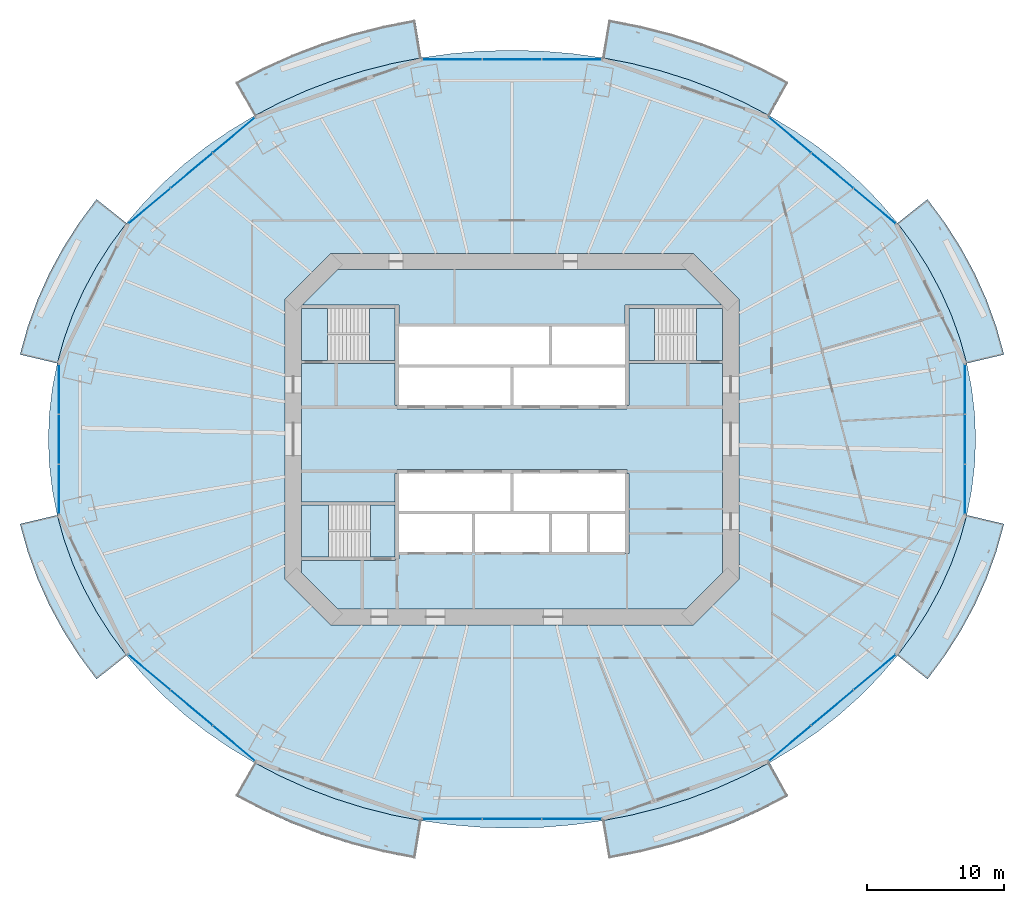
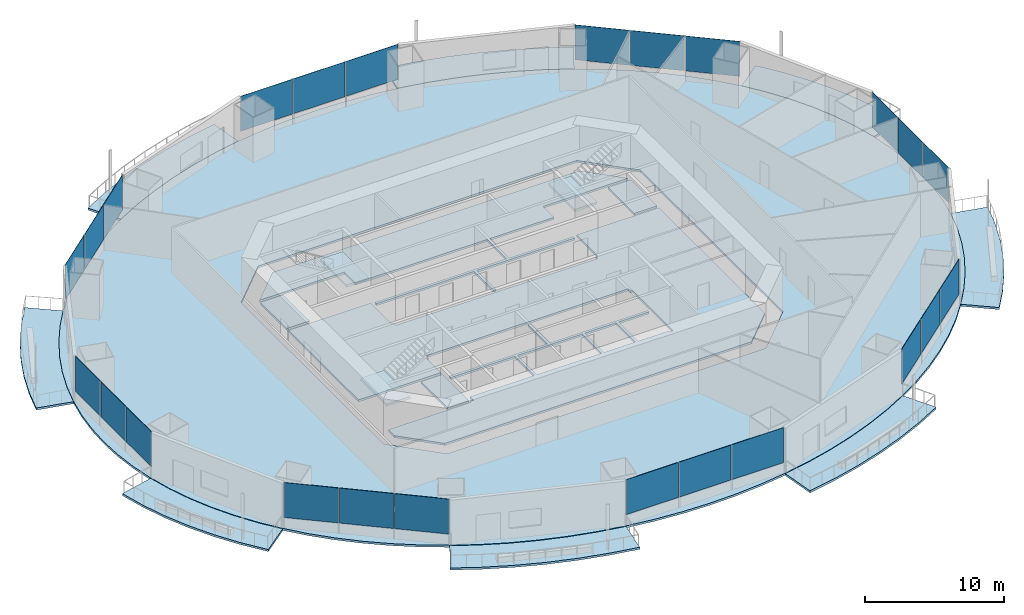
# One storey, part 12 of 21: 24 plates, 17 slabs, 11 elements without a shape of their own.
"""IFC4 building model written with IfcOpenShell, lengths in metres."""

from ifc_helpers import new_model, si_unit, direction, frame, origin, origin_2d, place, context, subcontext, project, spatial, polyline, rectangle, outline, extrude, material, layer, layer_set, type_object, element, aggregate, save


model = new_model("IFC4")

# Units and contexts
model_context = context("Model", 3, precision=1e-05, world=origin(), true_north=direction((0.0, 1.0)))
body_context = subcontext(model_context, "Body", "Model", "MODEL_VIEW")
ifc_project = project(units=[si_unit("LENGTHUNIT", "METRE"), si_unit("AREAUNIT", "SQUARE_METRE"), si_unit("VOLUMEUNIT", "CUBIC_METRE"), si_unit("PLANEANGLEUNIT", "RADIAN"), si_unit("MASSUNIT", "GRAM", prefix="KILO")], contexts=[model_context])

# Site, building, storey
site_placement = place(None, origin())
site = spatial("IfcSite", under=ifc_project, at=site_placement, CompositionType="ELEMENT")
building_placement = place(site_placement, origin())
building = spatial("IfcBuilding", under=site, at=building_placement, Name="Marenthal Gate Tower", CompositionType="ELEMENT")
storey_placement = place(building_placement, frame((0.0, 0.0, 124.300048828125)))
storey = spatial("IfcBuildingStorey", under=building, at=storey_placement, Name="L26", CompositionType="ELEMENT", Elevation=124.300048828125)

# Slabs
ifc_material_1 = material(Name="Concrete 40 MPa", Category="concrete")
ifc_layer_1 = layer(ifc_material_1, 0.179931640625)
ifc_layer_set_1 = layer_set([ifc_layer_1], Name="Balcony deck 180")
slab_type_1 = type_object("IfcSlabType", Name="Balcony deck 180", PredefinedType="USERDEFINED", material=ifc_layer_set_1)
slab_1_placement = place(storey_placement, frame((0.0, 0.0, -0.219970703125)))
element("IfcSlab", 1, at=slab_1_placement, inside=storey, type_object=slab_type_1, Name="Balcony deck L26 bay 1", ObjectType="BALCONY", PredefinedType="USERDEFINED", context=body_context, shape_type="SweptSolid", body=[
    extrude(outline(polyline([(33.25244140625, 5.548828125), (32.748779296875, 7.361328125), (32.104736328125, 9.142333984375), (31.3232421875, 10.88427734375), (30.40771484375, 12.57958984375), (29.36181640625, 14.220947265625), (28.190185546875, 15.801513671875), (30.38037109375, 17.5458984375), (31.668212890625, 15.808349609375), (32.821533203125, 13.99853515625), (33.833740234375, 12.1240234375), (34.7001953125, 10.192626953125), (35.416015625, 8.213134765625), (35.97705078125, 6.19482421875), (33.25244140625, 5.548828125)])), origin(), (0.0, 0.0, 1.0), 0.179931640625),
])
slab_2_placement = place(storey_placement, frame((0.0, 0.0, -0.219970703125)))
element("IfcSlab", 2, at=slab_2_placement, inside=storey, type_object=slab_type_1, Name="Balcony deck L26 bay 3", ObjectType="BALCONY", PredefinedType="USERDEFINED", context=body_context, shape_type="SweptSolid", body=[
    extrude(outline(polyline([(18.836181640625, 23.648681640625), (16.951904296875, 24.631591796875), (14.995361328125, 25.5087890625), (12.974609375, 26.277099609375), (10.898193359375, 26.9326171875), (8.77490234375, 27.472900390625), (6.6142578125, 27.8955078125), (7.0751953125, 30.6572265625), (9.38916015625, 30.204833984375), (11.6650390625, 29.62548828125), (13.8935546875, 28.921875), (16.065673828125, 28.09619140625), (18.172607421875, 27.1513671875), (20.205078125, 26.091064453125), (18.836181640625, 23.648681640625)])), origin(), (0.0, 0.0, 1.0), 0.179931640625),
])
slab_3_placement = place(storey_placement, frame((0.0, 0.0, -0.219970703125)))
element("IfcSlab", 3, at=slab_3_placement, inside=storey, type_object=slab_type_1, Name="Balcony deck L26 bay 5", ObjectType="BALCONY", PredefinedType="USERDEFINED", context=body_context, shape_type="SweptSolid", body=[
    extrude(outline(polyline([(-6.6142578125, 27.8955078125), (-8.77490234375, 27.472900390625), (-10.898193359375, 26.9326171875), (-12.974609375, 26.277099609375), (-14.995361328125, 25.5087890625), (-16.951904296875, 24.631591796875), (-18.836181640625, 23.648681640625), (-20.205078125, 26.091064453125), (-18.172607421875, 27.1513671875), (-16.065673828125, 28.09619140625), (-13.8935546875, 28.921875), (-11.6650390625, 29.62548828125), (-9.38916015625, 30.204833984375), (-7.0751953125, 30.6572265625), (-6.6142578125, 27.8955078125)])), origin(), (0.0, 0.0, 1.0), 0.179931640625),
])
slab_4_placement = place(storey_placement, frame((0.0, 0.0, -0.219970703125)))
element("IfcSlab", 4, at=slab_4_placement, inside=storey, type_object=slab_type_1, Name="Balcony deck L26 bay 7", ObjectType="BALCONY", PredefinedType="USERDEFINED", context=body_context, shape_type="SweptSolid", body=[
    extrude(outline(polyline([(-28.190185546875, 15.801513671875), (-29.36181640625, 14.220947265625), (-30.40771484375, 12.57958984375), (-31.3232421875, 10.88427734375), (-32.104736328125, 9.142333984375), (-32.748779296875, 7.361328125), (-33.25244140625, 5.548828125), (-35.97705078125, 6.19482421875), (-35.416015625, 8.213134765625), (-34.7001953125, 10.192626953125), (-33.833740234375, 12.1240234375), (-32.821533203125, 13.99853515625), (-31.668212890625, 15.808349609375), (-30.38037109375, 17.5458984375), (-28.190185546875, 15.801513671875)])), origin(), (0.0, 0.0, 1.0), 0.179931640625),
])
slab_5_placement = place(storey_placement, frame((0.0, 0.0, -0.219970703125)))
element("IfcSlab", 5, at=slab_5_placement, inside=storey, type_object=slab_type_1, Name="Balcony deck L26 bay 9", ObjectType="BALCONY", PredefinedType="USERDEFINED", context=body_context, shape_type="SweptSolid", body=[
    extrude(outline(polyline([(-33.25244140625, -5.548828125), (-32.748779296875, -7.361328125), (-32.104736328125, -9.142333984375), (-31.3232421875, -10.88427734375), (-30.40771484375, -12.57958984375), (-29.36181640625, -14.220947265625), (-28.190185546875, -15.801513671875), (-30.38037109375, -17.5458984375), (-31.668212890625, -15.808349609375), (-32.821533203125, -13.99853515625), (-33.833740234375, -12.1240234375), (-34.7001953125, -10.192626953125), (-35.416015625, -8.213134765625), (-35.97705078125, -6.19482421875), (-33.25244140625, -5.548828125)])), origin(), (0.0, 0.0, 1.0), 0.179931640625),
])
slab_6_placement = place(storey_placement, frame((0.0, 0.0, -0.219970703125)))
element("IfcSlab", 6, at=slab_6_placement, inside=storey, type_object=slab_type_1, Name="Balcony deck L26 bay 11", ObjectType="BALCONY", PredefinedType="USERDEFINED", context=body_context, shape_type="SweptSolid", body=[
    extrude(outline(polyline([(-18.836181640625, -23.648681640625), (-16.951904296875, -24.631591796875), (-14.995361328125, -25.5087890625), (-12.974609375, -26.277099609375), (-10.898193359375, -26.9326171875), (-8.77490234375, -27.472900390625), (-6.6142578125, -27.8955078125), (-7.0751953125, -30.6572265625), (-9.38916015625, -30.204833984375), (-11.6650390625, -29.62548828125), (-13.8935546875, -28.921875), (-16.065673828125, -28.09619140625), (-18.172607421875, -27.1513671875), (-20.205078125, -26.091064453125), (-18.836181640625, -23.648681640625)])), origin(), (0.0, 0.0, 1.0), 0.179931640625),
])
slab_7_placement = place(storey_placement, frame((0.0, 0.0, -0.219970703125)))
element("IfcSlab", 7, at=slab_7_placement, inside=storey, type_object=slab_type_1, Name="Balcony deck L26 bay 13", ObjectType="BALCONY", PredefinedType="USERDEFINED", context=body_context, shape_type="SweptSolid", body=[
    extrude(outline(polyline([(6.6142578125, -27.8955078125), (8.77490234375, -27.472900390625), (10.898193359375, -26.9326171875), (12.974609375, -26.277099609375), (14.995361328125, -25.5087890625), (16.951904296875, -24.631591796875), (18.836181640625, -23.648681640625), (20.205078125, -26.091064453125), (18.172607421875, -27.1513671875), (16.065673828125, -28.09619140625), (13.8935546875, -28.921875), (11.6650390625, -29.62548828125), (9.38916015625, -30.204833984375), (7.0751953125, -30.6572265625), (6.6142578125, -27.8955078125)])), origin(), (0.0, 0.0, 1.0), 0.179931640625),
])
slab_8_placement = place(storey_placement, frame((0.0, 0.0, -0.219970703125)))
element("IfcSlab", 8, at=slab_8_placement, inside=storey, type_object=slab_type_1, Name="Balcony deck L26 bay 15", ObjectType="BALCONY", PredefinedType="USERDEFINED", context=body_context, shape_type="SweptSolid", body=[
    extrude(outline(polyline([(28.190185546875, -15.801513671875), (29.36181640625, -14.220947265625), (30.40771484375, -12.57958984375), (31.3232421875, -10.88427734375), (32.104736328125, -9.142333984375), (32.748779296875, -7.361328125), (33.25244140625, -5.548828125), (35.97705078125, -6.19482421875), (35.416015625, -8.213134765625), (34.7001953125, -10.192626953125), (33.833740234375, -12.1240234375), (32.821533203125, -13.99853515625), (31.668212890625, -15.808349609375), (30.38037109375, -17.5458984375), (28.190185546875, -15.801513671875)])), origin(), (0.0, 0.0, 1.0), 0.179931640625),
])
ifc_material_2 = material(Name="Concrete 50 MPa", Category="concrete")
ifc_layer_2 = layer(ifc_material_2, 0.179931640625)
ifc_layer_set_2 = layer_set([ifc_layer_2], Name="Core floor slab 180")
slab_type_2 = type_object("IfcSlabType", Name="Core floor slab 180", PredefinedType="FLOOR", material=ifc_layer_set_2)
slab_9_placement = place(storey_placement, frame((0.0, 0.0, -0.179931640625)))
element("IfcSlab", 9, at=slab_9_placement, inside=storey, type_object=slab_type_2, Name="Core floor L26", PredefinedType="FLOOR", context=body_context, shape_type="SweptSolid", body=[
    extrude(outline(polyline([(15.39990234375, -9.75146484375), (12.75146484375, -12.39990234375), (-12.75146484375, -12.39990234375), (-15.39990234375, -9.75146484375), (-15.39990234375, -8.875), (-8.550048828125, -8.875), (-8.550048828125, -8.75), (-8.25, -8.75), (-8.25, -8.239990234375), (-5.60009765625, -8.239990234375), (-2.909912109375, -8.239990234375), (-2.909912109375, -5.4599609375), (-5.60009765625, -5.4599609375), (-8.25, -5.4599609375), (-8.25, -5.239990234375), (-5.60009765625, -5.239990234375), (-2.800048828125, -5.239990234375), (-0.110107421875, -5.239990234375), (-0.110107421875, -2.5), (0.110107421875, -2.5), (0.110107421875, -5.239990234375), (2.800048828125, -5.239990234375), (5.60009765625, -5.239990234375), (8.25, -5.239990234375), (8.25, -5.4599609375), (5.7099609375, -5.4599609375), (5.7099609375, -8.239990234375), (8.25, -8.239990234375), (8.25, -8.35009765625), (8.550048828125, -8.35009765625), (8.550048828125, -2.5), (8.39990234375, -2.5), (8.39990234375, -2.199951171875), (-8.39990234375, -2.199951171875), (-8.39990234375, -2.5), (-8.550048828125, -2.5), (-8.550048828125, -4.574951171875), (-15.39990234375, -4.574951171875), (-15.39990234375, 5.52490234375), (-8.550048828125, 5.52490234375), (-8.550048828125, 2.5), (-8.39990234375, 2.5), (-8.39990234375, 2.199951171875), (8.39990234375, 2.199951171875), (8.39990234375, 2.5), (8.550048828125, 2.5), (8.550048828125, 5.52490234375), (15.39990234375, 5.52490234375), (15.39990234375, -9.75146484375)]), holes=[polyline([(2.68994140625, -5.4599609375), (0.0, -5.4599609375), (-2.68994140625, -5.4599609375), (-2.68994140625, -8.239990234375), (0.0, -8.239990234375), (2.68994140625, -8.239990234375), (2.68994140625, -5.4599609375)]), polyline([(5.489990234375, -5.4599609375), (2.909912109375, -5.4599609375), (2.909912109375, -8.239990234375), (5.489990234375, -8.239990234375), (5.489990234375, -5.4599609375)])]), origin(), (0.0, 0.0, 1.0), 0.179931640625),
])
slab_10_placement = place(storey_placement, frame((0.0, 0.0, -0.179931640625)))
element("IfcSlab", 10, at=slab_10_placement, inside=storey, type_object=slab_type_2, Name="Core floor L26", PredefinedType="FLOOR", context=body_context, shape_type="SweptSolid", body=[
    extrude(outline(polyline([(15.39990234375, 5.77490234375), (13.5, 5.77490234375), (13.5, 9.574951171875), (15.39990234375, 9.574951171875), (15.39990234375, 5.77490234375)])), origin(), (0.0, 0.0, 1.0), 0.179931640625),
])
slab_11_placement = place(storey_placement, frame((0.0, 0.0, -0.179931640625)))
element("IfcSlab", 11, at=slab_11_placement, inside=storey, type_object=slab_type_2, Name="Core floor L26", PredefinedType="FLOOR", context=body_context, shape_type="SweptSolid", body=[
    extrude(outline(polyline([(12.75146484375, 12.39990234375), (15.326416015625, 9.824951171875), (8.550048828125, 9.824951171875), (8.25, 9.824951171875), (8.25, 8.35009765625), (8.25, 8.239990234375), (5.60009765625, 8.239990234375), (2.909912109375, 8.239990234375), (2.909912109375, 5.4599609375), (5.60009765625, 5.4599609375), (8.25, 5.4599609375), (8.25, 5.239990234375), (5.60009765625, 5.239990234375), (2.800048828125, 5.239990234375), (0.110107421875, 5.239990234375), (0.110107421875, 2.5), (-0.110107421875, 2.5), (-0.110107421875, 5.239990234375), (-2.800048828125, 5.239990234375), (-5.60009765625, 5.239990234375), (-8.25, 5.239990234375), (-8.25, 5.4599609375), (-5.60009765625, 5.4599609375), (-2.800048828125, 5.4599609375), (0.0, 5.4599609375), (2.68994140625, 5.4599609375), (2.68994140625, 8.239990234375), (0.0, 8.239990234375), (-2.800048828125, 8.239990234375), (-5.60009765625, 8.239990234375), (-8.25, 8.239990234375), (-8.25, 8.35009765625), (-8.25, 9.824951171875), (-8.550048828125, 9.824951171875), (-15.326416015625, 9.824951171875), (-12.75146484375, 12.39990234375), (12.75146484375, 12.39990234375)])), origin(), (0.0, 0.0, 1.0), 0.179931640625),
])
slab_12_placement = place(storey_placement, frame((0.0, 0.0, -0.179931640625)))
element("IfcSlab", 12, at=slab_12_placement, inside=storey, type_object=slab_type_2, Name="Core floor L26", PredefinedType="FLOOR", context=body_context, shape_type="SweptSolid", body=[
    extrude(outline(polyline([(-15.39990234375, 9.574951171875), (-13.5, 9.574951171875), (-13.5, 5.77490234375), (-15.39990234375, 5.77490234375), (-15.39990234375, 9.574951171875)])), origin(), (0.0, 0.0, 1.0), 0.179931640625),
])
slab_13_placement = place(storey_placement, frame((0.0, 0.0, -0.179931640625)))
element("IfcSlab", 13, at=slab_13_placement, inside=storey, type_object=slab_type_2, Name="Core floor L26", PredefinedType="FLOOR", context=body_context, shape_type="SweptSolid", body=[
    extrude(outline(polyline([(-8.550048828125, -8.625), (-10.35009765625, -8.625), (-10.35009765625, -4.824951171875), (-8.550048828125, -4.824951171875), (-8.550048828125, -8.625)])), origin(), (0.0, 0.0, 1.0), 0.179931640625),
])
ifc_material_3 = material(Name="Concrete 35 MPa", Category="concrete")
ifc_layer_3 = layer(ifc_material_3, 0.179931640625)
ifc_layer_set_3 = layer_set([ifc_layer_3], Name="Floor slab 180")
slab_type_3 = type_object("IfcSlabType", Name="Floor slab 180", PredefinedType="FLOOR", material=ifc_layer_set_3)
slab_14_placement = place(storey_placement, frame((0.0, 0.0, -0.179931640625)))
element("IfcSlab", 14, at=slab_14_placement, inside=storey, type_object=slab_type_3, Name="SL-L26-01", PredefinedType="FLOOR", context=body_context, shape_type="SweptSolid", body=[
    extrude(outline(polyline([(33.904052734375, 0.0), (33.831298828125, 1.860107421875), (33.614013671875, 3.71240234375), (33.25244140625, 5.548828125), (32.748779296875, 7.361328125), (32.104736328125, 9.142333984375), (31.3232421875, 10.88427734375), (30.40771484375, 12.57958984375), (29.36181640625, 14.220947265625), (28.190185546875, 15.801513671875), (26.89794921875, 17.314453125), (25.490478515625, 18.753173828125), (23.9736328125, 20.111572265625), (22.3544921875, 21.3837890625), (20.639404296875, 22.564697265625), (18.836181640625, 23.648681640625), (16.951904296875, 24.631591796875), (14.995361328125, 25.5087890625), (12.974609375, 26.277099609375), (10.898193359375, 26.9326171875), (8.77490234375, 27.472900390625), (6.6142578125, 27.8955078125), (4.42529296875, 28.19873046875), (2.21728515625, 28.381103515625), (0.0, 28.44189453125), (-2.21728515625, 28.381103515625), (-4.42529296875, 28.19873046875), (-6.6142578125, 27.8955078125), (-8.77490234375, 27.472900390625), (-10.898193359375, 26.9326171875), (-12.974609375, 26.277099609375), (-14.995361328125, 25.5087890625), (-16.951904296875, 24.631591796875), (-18.836181640625, 23.648681640625), (-20.639404296875, 22.564697265625), (-22.3544921875, 21.3837890625), (-23.9736328125, 20.111572265625), (-25.490478515625, 18.753173828125), (-26.89794921875, 17.314453125), (-28.190185546875, 15.801513671875), (-29.36181640625, 14.220947265625), (-30.40771484375, 12.57958984375), (-31.3232421875, 10.88427734375), (-32.104736328125, 9.142333984375), (-32.748779296875, 7.361328125), (-33.25244140625, 5.548828125), (-33.614013671875, 3.71240234375), (-33.831298828125, 1.860107421875), (-33.904052734375, 0.0), (-33.831298828125, -1.860107421875), (-33.614013671875, -3.71240234375), (-33.25244140625, -5.548828125), (-32.748779296875, -7.361328125), (-32.104736328125, -9.142333984375), (-31.3232421875, -10.88427734375), (-30.40771484375, -12.57958984375), (-29.36181640625, -14.220947265625), (-28.190185546875, -15.801513671875), (-26.89794921875, -17.314453125), (-25.490478515625, -18.753173828125), (-23.9736328125, -20.111572265625), (-22.3544921875, -21.3837890625), (-20.639404296875, -22.564697265625), (-18.836181640625, -23.648681640625), (-16.951904296875, -24.631591796875), (-14.995361328125, -25.5087890625), (-12.974609375, -26.277099609375), (-10.898193359375, -26.9326171875), (-8.77490234375, -27.472900390625), (-6.6142578125, -27.8955078125), (-4.42529296875, -28.19873046875), (-2.21728515625, -28.381103515625), (0.0, -28.44189453125), (2.21728515625, -28.381103515625), (4.42529296875, -28.19873046875), (6.6142578125, -27.8955078125), (8.77490234375, -27.472900390625), (10.898193359375, -26.9326171875), (12.974609375, -26.277099609375), (14.995361328125, -25.5087890625), (16.951904296875, -24.631591796875), (18.836181640625, -23.648681640625), (20.639404296875, -22.564697265625), (22.3544921875, -21.3837890625), (23.9736328125, -20.111572265625), (25.490478515625, -18.753173828125), (26.89794921875, -17.314453125), (28.190185546875, -15.801513671875), (29.36181640625, -14.220947265625), (30.40771484375, -12.57958984375), (31.3232421875, -10.88427734375), (32.104736328125, -9.142333984375), (32.748779296875, -7.361328125), (33.25244140625, -5.548828125), (33.614013671875, -3.71240234375), (33.831298828125, -1.860107421875), (33.904052734375, 0.0)]), holes=[polyline([(13.24853515625, -13.60009765625), (16.60009765625, -10.24853515625), (16.60009765625, 10.24853515625), (13.24853515625, 13.60009765625), (-13.24853515625, 13.60009765625), (-16.60009765625, 10.24853515625), (-16.60009765625, -10.24853515625), (-13.24853515625, -13.60009765625), (13.24853515625, -13.60009765625)])]), origin(), (0.0, 0.0, 1.0), 0.179931640625),
])

# Curtain wall, plates
ifc_material_4 = material(Name="Aluminium and glass", Category="aluminium")
curtain_wall_type = type_object("IfcCurtainWallType", Name="Curtain wall typical low", PredefinedType="NOTDEFINED", material=ifc_material_4)
curtain_wall_1_placement = place(storey_placement, origin())
curtain_wall_1 = element("IfcCurtainWall", 15, at=curtain_wall_1_placement, inside=storey, type_object=curtain_wall_type, Name="Curtain wall L26 bay 2", PredefinedType="NOTDEFINED")
ifc_material_5 = material(Name="Glass, laminated insulating unit", Category="glass")
ifc_layer_4 = layer(ifc_material_5, 0.030029296875)
ifc_layer_set_4 = layer_set([ifc_layer_4], Name="Glass panel 30 typical low")
plate_type = type_object("IfcPlateType", Name="Glass panel 30 typical low", PredefinedType="CURTAIN_PANEL", material=ifc_layer_set_4)
plate_1_placement = place(storey_placement, frame((26.521484375, 17.050048828125, 0.89990234375), z_axis=(0.0, 0.0, 1.0), x_axis=(-0.766337774817, 0.642437868504, 0.0)))
plate_1 = element("IfcPlate", 16, at=plate_1_placement, type_object=plate_type, Name="Glass panel L26 bay 2.1", PredefinedType="CURTAIN_PANEL", context=body_context, shape_type="SweptSolid", body=[
    extrude(rectangle(XDim=3.974365234375, YDim=0.030029296875, at=origin_2d()), origin(), (0.0, 0.0, 1.0), 3.070068359375),
])
plate_2_placement = place(storey_placement, frame((23.429931640625, 19.641845703125, 0.89990234375), z_axis=(0.0, 0.0, 1.0), x_axis=(-0.766337774817, 0.642437868504, 0.0)))
plate_2 = element("IfcPlate", 17, at=plate_2_placement, type_object=plate_type, Name="Glass panel L26 bay 2.2", PredefinedType="CURTAIN_PANEL", context=body_context, shape_type="SweptSolid", body=[
    extrude(rectangle(XDim=3.974365234375, YDim=0.030029296875, at=origin_2d()), origin(), (0.0, 0.0, 1.0), 3.070068359375),
])
plate_3_placement = place(storey_placement, frame((20.338134765625, 22.233642578125, 0.89990234375), z_axis=(0.0, 0.0, 1.0), x_axis=(-0.766337774817, 0.642437868504, 0.0)))
plate_3 = element("IfcPlate", 18, at=plate_3_placement, type_object=plate_type, Name="Glass panel L26 bay 2.3", PredefinedType="CURTAIN_PANEL", context=body_context, shape_type="SweptSolid", body=[
    extrude(rectangle(XDim=3.974365234375, YDim=0.030029296875, at=origin_2d()), origin(), (0.0, 0.0, 1.0), 3.070068359375),
])
aggregate(curtain_wall_1, [plate_1, plate_2, plate_3])

curtain_wall_2_placement = place(storey_placement, origin())
curtain_wall_2 = element("IfcCurtainWall", 19, at=curtain_wall_2_placement, inside=storey, type_object=curtain_wall_type, Name="Curtain wall L26 bay 4", PredefinedType="NOTDEFINED")
plate_4_placement = place(storey_placement, frame((4.3740234375, 27.77783203125, 0.89990234375), z_axis=(0.0, 0.0, 1.0), x_axis=(-1.0, 0.0, 0.0)))
plate_4 = element("IfcPlate", 20, at=plate_4_placement, type_object=plate_type, Name="Glass panel L26 bay 4.1", PredefinedType="CURTAIN_PANEL", context=body_context, shape_type="SweptSolid", body=[
    extrude(rectangle(XDim=4.31396484375, YDim=0.030029296875, at=origin_2d()), origin(), (0.0, 0.0, 1.0), 3.070068359375),
])
plate_5_placement = place(storey_placement, frame((0.0, 27.77783203125, 0.89990234375), z_axis=(0.0, 0.0, 1.0), x_axis=(-1.0, 0.0, 0.0)))
plate_5 = element("IfcPlate", 21, at=plate_5_placement, type_object=plate_type, Name="Glass panel L26 bay 4.2", PredefinedType="CURTAIN_PANEL", context=body_context, shape_type="SweptSolid", body=[
    extrude(rectangle(XDim=4.31396484375, YDim=0.030029296875, at=origin_2d()), origin(), (0.0, 0.0, 1.0), 3.070068359375),
])
plate_6_placement = place(storey_placement, frame((-4.3740234375, 27.77783203125, 0.89990234375), z_axis=(0.0, 0.0, 1.0), x_axis=(-1.0, 0.0, 0.0)))
plate_6 = element("IfcPlate", 22, at=plate_6_placement, type_object=plate_type, Name="Glass panel L26 bay 4.3", PredefinedType="CURTAIN_PANEL", context=body_context, shape_type="SweptSolid", body=[
    extrude(rectangle(XDim=4.31396484375, YDim=0.030029296875, at=origin_2d()), origin(), (0.0, 0.0, 1.0), 3.070068359375),
])
aggregate(curtain_wall_2, [plate_4, plate_5, plate_6])

curtain_wall_3_placement = place(storey_placement, origin())
curtain_wall_3 = element("IfcCurtainWall", 23, at=curtain_wall_3_placement, inside=storey, type_object=curtain_wall_type, Name="Curtain wall L26 bay 6", PredefinedType="NOTDEFINED")
plate_7_placement = place(storey_placement, frame((-20.338134765625, 22.233642578125, 0.89990234375), z_axis=(0.0, 0.0, 1.0), x_axis=(-0.766337774817, -0.642437868504, 0.0)))
plate_7 = element("IfcPlate", 24, at=plate_7_placement, type_object=plate_type, Name="Glass panel L26 bay 6.1", PredefinedType="CURTAIN_PANEL", context=body_context, shape_type="SweptSolid", body=[
    extrude(rectangle(XDim=3.974365234375, YDim=0.030029296875, at=origin_2d()), origin(), (0.0, 0.0, 1.0), 3.070068359375),
])
plate_8_placement = place(storey_placement, frame((-23.429931640625, 19.641845703125, 0.89990234375), z_axis=(0.0, 0.0, 1.0), x_axis=(-0.766337774817, -0.642437868504, 0.0)))
plate_8 = element("IfcPlate", 25, at=plate_8_placement, type_object=plate_type, Name="Glass panel L26 bay 6.2", PredefinedType="CURTAIN_PANEL", context=body_context, shape_type="SweptSolid", body=[
    extrude(rectangle(XDim=3.974365234375, YDim=0.030029296875, at=origin_2d()), origin(), (0.0, 0.0, 1.0), 3.070068359375),
])
plate_9_placement = place(storey_placement, frame((-26.521484375, 17.050048828125, 0.89990234375), z_axis=(0.0, 0.0, 1.0), x_axis=(-0.766337774817, -0.642437868504, 0.0)))
plate_9 = element("IfcPlate", 26, at=plate_9_placement, type_object=plate_type, Name="Glass panel L26 bay 6.3", PredefinedType="CURTAIN_PANEL", context=body_context, shape_type="SweptSolid", body=[
    extrude(rectangle(XDim=3.974365234375, YDim=0.030029296875, at=origin_2d()), origin(), (0.0, 0.0, 1.0), 3.070068359375),
])
aggregate(curtain_wall_3, [plate_7, plate_8, plate_9])

curtain_wall_4_placement = place(storey_placement, origin())
curtain_wall_4 = element("IfcCurtainWall", 27, at=curtain_wall_4_placement, inside=storey, type_object=curtain_wall_type, Name="Curtain wall L26 bay 8", PredefinedType="NOTDEFINED")
plate_10_placement = place(storey_placement, frame((-33.134765625, 3.66357421875, 0.89990234375), z_axis=(0.0, 0.0, 1.0), x_axis=(0.0, -1.0, 0.0)))
plate_10 = element("IfcPlate", 28, at=plate_10_placement, type_object=plate_type, Name="Glass panel L26 bay 8.1", PredefinedType="CURTAIN_PANEL", context=body_context, shape_type="SweptSolid", body=[
    extrude(rectangle(XDim=3.603515625, YDim=0.030029296875, at=origin_2d()), origin(), (0.0, 0.0, 1.0), 3.070068359375),
])
plate_11_placement = place(storey_placement, frame((-33.134765625, 0.0, 0.89990234375), z_axis=(0.0, 0.0, 1.0), x_axis=(0.0, -1.0, 0.0)))
plate_11 = element("IfcPlate", 29, at=plate_11_placement, type_object=plate_type, Name="Glass panel L26 bay 8.2", PredefinedType="CURTAIN_PANEL", context=body_context, shape_type="SweptSolid", body=[
    extrude(rectangle(XDim=3.603515625, YDim=0.030029296875, at=origin_2d()), origin(), (0.0, 0.0, 1.0), 3.070068359375),
])
plate_12_placement = place(storey_placement, frame((-33.134765625, -3.66357421875, 0.89990234375), z_axis=(0.0, 0.0, 1.0), x_axis=(0.0, -1.0, 0.0)))
plate_12 = element("IfcPlate", 30, at=plate_12_placement, type_object=plate_type, Name="Glass panel L26 bay 8.3", PredefinedType="CURTAIN_PANEL", context=body_context, shape_type="SweptSolid", body=[
    extrude(rectangle(XDim=3.603515625, YDim=0.030029296875, at=origin_2d()), origin(), (0.0, 0.0, 1.0), 3.070068359375),
])
aggregate(curtain_wall_4, [plate_10, plate_11, plate_12])

curtain_wall_5_placement = place(storey_placement, origin())
curtain_wall_5 = element("IfcCurtainWall", 31, at=curtain_wall_5_placement, inside=storey, type_object=curtain_wall_type, Name="Curtain wall L26 bay 10", PredefinedType="NOTDEFINED")
plate_13_placement = place(storey_placement, frame((-26.521484375, -17.050048828125, 0.89990234375), z_axis=(0.0, 0.0, 1.0), x_axis=(0.766337774817, -0.642437868504, 0.0)))
plate_13 = element("IfcPlate", 32, at=plate_13_placement, type_object=plate_type, Name="Glass panel L26 bay 10.1", PredefinedType="CURTAIN_PANEL", context=body_context, shape_type="SweptSolid", body=[
    extrude(rectangle(XDim=3.974365234375, YDim=0.030029296875, at=origin_2d()), origin(), (0.0, 0.0, 1.0), 3.070068359375),
])
plate_14_placement = place(storey_placement, frame((-23.429931640625, -19.641845703125, 0.89990234375), z_axis=(0.0, 0.0, 1.0), x_axis=(0.766337774817, -0.642437868504, 0.0)))
plate_14 = element("IfcPlate", 33, at=plate_14_placement, type_object=plate_type, Name="Glass panel L26 bay 10.2", PredefinedType="CURTAIN_PANEL", context=body_context, shape_type="SweptSolid", body=[
    extrude(rectangle(XDim=3.974365234375, YDim=0.030029296875, at=origin_2d()), origin(), (0.0, 0.0, 1.0), 3.070068359375),
])
plate_15_placement = place(storey_placement, frame((-20.338134765625, -22.233642578125, 0.89990234375), z_axis=(0.0, 0.0, 1.0), x_axis=(0.766337774817, -0.642437868504, 0.0)))
plate_15 = element("IfcPlate", 34, at=plate_15_placement, type_object=plate_type, Name="Glass panel L26 bay 10.3", PredefinedType="CURTAIN_PANEL", context=body_context, shape_type="SweptSolid", body=[
    extrude(rectangle(XDim=3.974365234375, YDim=0.030029296875, at=origin_2d()), origin(), (0.0, 0.0, 1.0), 3.070068359375),
])
aggregate(curtain_wall_5, [plate_13, plate_14, plate_15])

curtain_wall_6_placement = place(storey_placement, origin())
curtain_wall_6 = element("IfcCurtainWall", 35, at=curtain_wall_6_placement, inside=storey, type_object=curtain_wall_type, Name="Curtain wall L26 bay 12", PredefinedType="NOTDEFINED")
plate_16_placement = place(storey_placement, frame((-4.3740234375, -27.77783203125, 0.89990234375), z_axis=(0.0, 0.0, 1.0), x_axis=(1.0, 0.0, 0.0)))
plate_16 = element("IfcPlate", 36, at=plate_16_placement, type_object=plate_type, Name="Glass panel L26 bay 12.1", PredefinedType="CURTAIN_PANEL", context=body_context, shape_type="SweptSolid", body=[
    extrude(rectangle(XDim=4.31396484375, YDim=0.030029296875, at=origin_2d()), origin(), (0.0, 0.0, 1.0), 3.070068359375),
])
plate_17_placement = place(storey_placement, frame((0.0, -27.77783203125, 0.89990234375), z_axis=(0.0, 0.0, 1.0), x_axis=(1.0, 0.0, 0.0)))
plate_17 = element("IfcPlate", 37, at=plate_17_placement, type_object=plate_type, Name="Glass panel L26 bay 12.2", PredefinedType="CURTAIN_PANEL", context=body_context, shape_type="SweptSolid", body=[
    extrude(rectangle(XDim=4.31396484375, YDim=0.030029296875, at=origin_2d()), origin(), (0.0, 0.0, 1.0), 3.070068359375),
])
plate_18_placement = place(storey_placement, frame((4.3740234375, -27.77783203125, 0.89990234375), z_axis=(0.0, 0.0, 1.0), x_axis=(1.0, 0.0, 0.0)))
plate_18 = element("IfcPlate", 38, at=plate_18_placement, type_object=plate_type, Name="Glass panel L26 bay 12.3", PredefinedType="CURTAIN_PANEL", context=body_context, shape_type="SweptSolid", body=[
    extrude(rectangle(XDim=4.31396484375, YDim=0.030029296875, at=origin_2d()), origin(), (0.0, 0.0, 1.0), 3.070068359375),
])
aggregate(curtain_wall_6, [plate_16, plate_17, plate_18])

curtain_wall_7_placement = place(storey_placement, origin())
curtain_wall_7 = element("IfcCurtainWall", 39, at=curtain_wall_7_placement, inside=storey, type_object=curtain_wall_type, Name="Curtain wall L26 bay 14", PredefinedType="NOTDEFINED")
plate_19_placement = place(storey_placement, frame((20.338134765625, -22.233642578125, 0.89990234375), z_axis=(0.0, 0.0, 1.0), x_axis=(0.766337774817, 0.642437868504, 0.0)))
plate_19 = element("IfcPlate", 40, at=plate_19_placement, type_object=plate_type, Name="Glass panel L26 bay 14.1", PredefinedType="CURTAIN_PANEL", context=body_context, shape_type="SweptSolid", body=[
    extrude(rectangle(XDim=3.974365234375, YDim=0.030029296875, at=origin_2d()), origin(), (0.0, 0.0, 1.0), 3.070068359375),
])
plate_20_placement = place(storey_placement, frame((23.429931640625, -19.641845703125, 0.89990234375), z_axis=(0.0, 0.0, 1.0), x_axis=(0.766337774817, 0.642437868504, 0.0)))
plate_20 = element("IfcPlate", 41, at=plate_20_placement, type_object=plate_type, Name="Glass panel L26 bay 14.2", PredefinedType="CURTAIN_PANEL", context=body_context, shape_type="SweptSolid", body=[
    extrude(rectangle(XDim=3.974365234375, YDim=0.030029296875, at=origin_2d()), origin(), (0.0, 0.0, 1.0), 3.070068359375),
])
plate_21_placement = place(storey_placement, frame((26.521484375, -17.050048828125, 0.89990234375), z_axis=(0.0, 0.0, 1.0), x_axis=(0.766337774817, 0.642437868504, 0.0)))
plate_21 = element("IfcPlate", 42, at=plate_21_placement, type_object=plate_type, Name="Glass panel L26 bay 14.3", PredefinedType="CURTAIN_PANEL", context=body_context, shape_type="SweptSolid", body=[
    extrude(rectangle(XDim=3.974365234375, YDim=0.030029296875, at=origin_2d()), origin(), (0.0, 0.0, 1.0), 3.070068359375),
])
aggregate(curtain_wall_7, [plate_19, plate_20, plate_21])

curtain_wall_8_placement = place(storey_placement, origin())
curtain_wall_8 = element("IfcCurtainWall", 43, at=curtain_wall_8_placement, inside=storey, type_object=curtain_wall_type, Name="Curtain wall L26 bay 16", PredefinedType="NOTDEFINED")
plate_22_placement = place(storey_placement, frame((33.134765625, -3.66357421875, 0.89990234375), z_axis=(0.0, 0.0, 1.0), x_axis=(0.0, 1.0, 0.0)))
plate_22 = element("IfcPlate", 44, at=plate_22_placement, type_object=plate_type, Name="Glass panel L26 bay 16.1", PredefinedType="CURTAIN_PANEL", context=body_context, shape_type="SweptSolid", body=[
    extrude(rectangle(XDim=3.603515625, YDim=0.030029296875, at=origin_2d()), origin(), (0.0, 0.0, 1.0), 3.070068359375),
])
plate_23_placement = place(storey_placement, frame((33.134765625, 0.0, 0.89990234375), z_axis=(0.0, 0.0, 1.0), x_axis=(0.0, 1.0, 0.0)))
plate_23 = element("IfcPlate", 45, at=plate_23_placement, type_object=plate_type, Name="Glass panel L26 bay 16.2", PredefinedType="CURTAIN_PANEL", context=body_context, shape_type="SweptSolid", body=[
    extrude(rectangle(XDim=3.603515625, YDim=0.030029296875, at=origin_2d()), origin(), (0.0, 0.0, 1.0), 3.070068359375),
])
plate_24_placement = place(storey_placement, frame((33.134765625, 3.66357421875, 0.89990234375), z_axis=(0.0, 0.0, 1.0), x_axis=(0.0, 1.0, 0.0)))
plate_24 = element("IfcPlate", 46, at=plate_24_placement, type_object=plate_type, Name="Glass panel L26 bay 16.3", PredefinedType="CURTAIN_PANEL", context=body_context, shape_type="SweptSolid", body=[
    extrude(rectangle(XDim=3.603515625, YDim=0.030029296875, at=origin_2d()), origin(), (0.0, 0.0, 1.0), 3.070068359375),
])
aggregate(curtain_wall_8, [plate_22, plate_23, plate_24])

# Stair, slab
ifc_material_6 = material(Name="Concrete 40 MPa", Category="concrete")
stair_type = type_object("IfcStairType", Name="Exit stair 1800", PredefinedType="HALF_TURN_STAIR", material=ifc_material_6)
stair_1_placement = place(storey_placement, origin())
stair_1 = element("IfcStair", 47, at=stair_1_placement, inside=storey, type_object=stair_type, Name="Stair ST1", PredefinedType="HALF_TURN_STAIR")
ifc_material_7 = material(Name="Concrete 40 MPa", Category="concrete")
ifc_layer_5 = layer(ifc_material_7, 0.199951171875)
ifc_layer_set_5 = layer_set([ifc_layer_5], Name="Stair landing 200")
slab_type_4 = type_object("IfcSlabType", Name="Stair landing 200", PredefinedType="LANDING", material=ifc_layer_set_5)
slab_15_placement = place(storey_placement, frame((0.0, 0.0, 1.875)))
slab_15 = element("IfcSlab", 48, at=slab_15_placement, type_object=slab_type_4, Name="ST1 landing 1", PredefinedType="LANDING", context=body_context, shape_type="SweptSolid", body=[
    extrude(outline(polyline([(-10.419921875, 5.77490234375), (-8.550048828125, 5.77490234375), (-8.550048828125, 9.574951171875), (-10.419921875, 9.574951171875), (-10.419921875, 5.77490234375)])), origin(), (0.0, 0.0, 1.0), 0.199951171875),
])
aggregate(stair_1, [slab_15])

stair_2_placement = place(storey_placement, origin())
stair_2 = element("IfcStair", 49, at=stair_2_placement, inside=storey, type_object=stair_type, Name="Stair ST2", PredefinedType="HALF_TURN_STAIR")
slab_16_placement = place(storey_placement, frame((0.0, 0.0, 1.875)))
slab_16 = element("IfcSlab", 50, at=slab_16_placement, type_object=slab_type_4, Name="ST2 landing 1", PredefinedType="LANDING", context=body_context, shape_type="SweptSolid", body=[
    extrude(outline(polyline([(-15.39990234375, -8.625), (-13.429931640625, -8.625), (-13.429931640625, -4.824951171875), (-15.39990234375, -4.824951171875), (-15.39990234375, -8.625)])), origin(), (0.0, 0.0, 1.0), 0.199951171875),
])
aggregate(stair_2, [slab_16])

stair_3_placement = place(storey_placement, origin())
stair_3 = element("IfcStair", 51, at=stair_3_placement, inside=storey, type_object=stair_type, Name="Stair ST3", PredefinedType="HALF_TURN_STAIR")
slab_17_placement = place(storey_placement, frame((0.0, 0.0, 1.875)))
slab_17 = element("IfcSlab", 52, at=slab_17_placement, type_object=slab_type_4, Name="ST3 landing 1", PredefinedType="LANDING", context=body_context, shape_type="SweptSolid", body=[
    extrude(outline(polyline([(8.550048828125, 5.77490234375), (10.419921875, 5.77490234375), (10.419921875, 9.574951171875), (8.550048828125, 9.574951171875), (8.550048828125, 5.77490234375)])), origin(), (0.0, 0.0, 1.0), 0.199951171875),
])
aggregate(stair_3, [slab_17])

save(model, "model.ifc")
